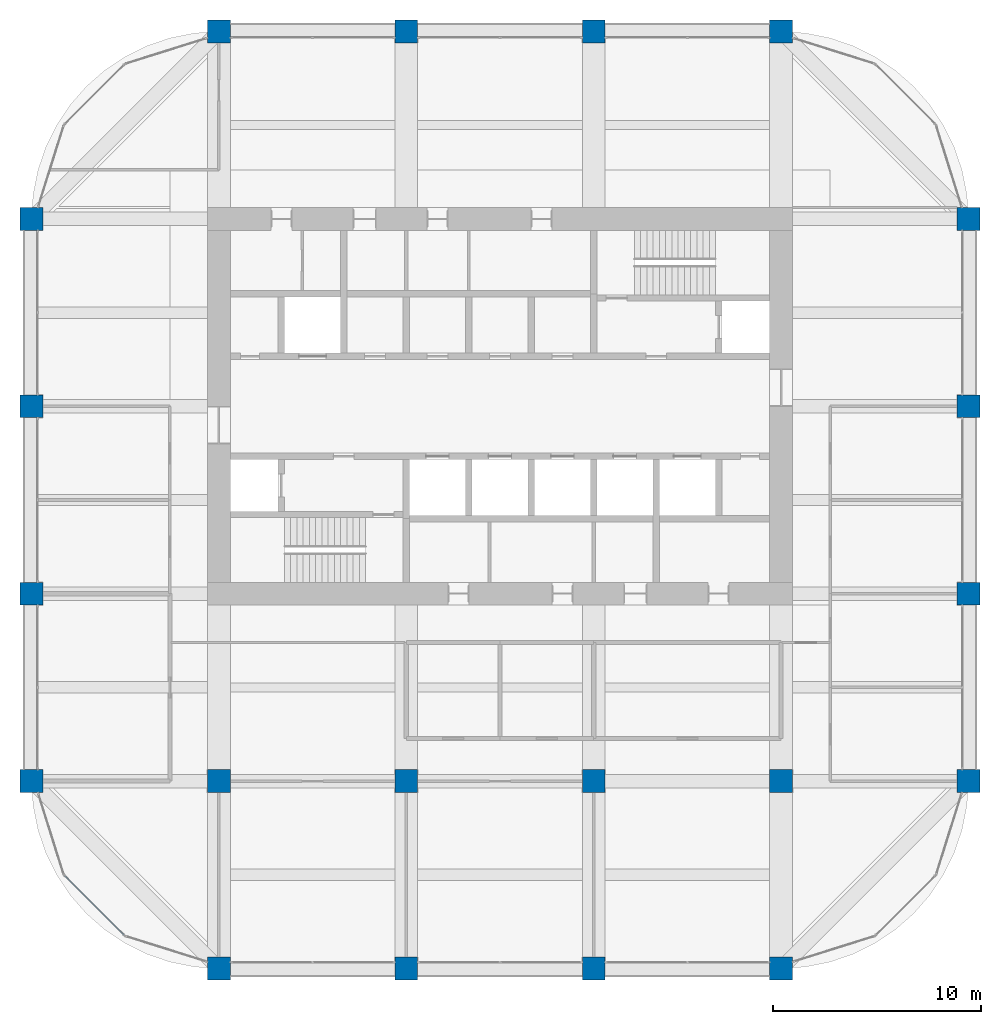
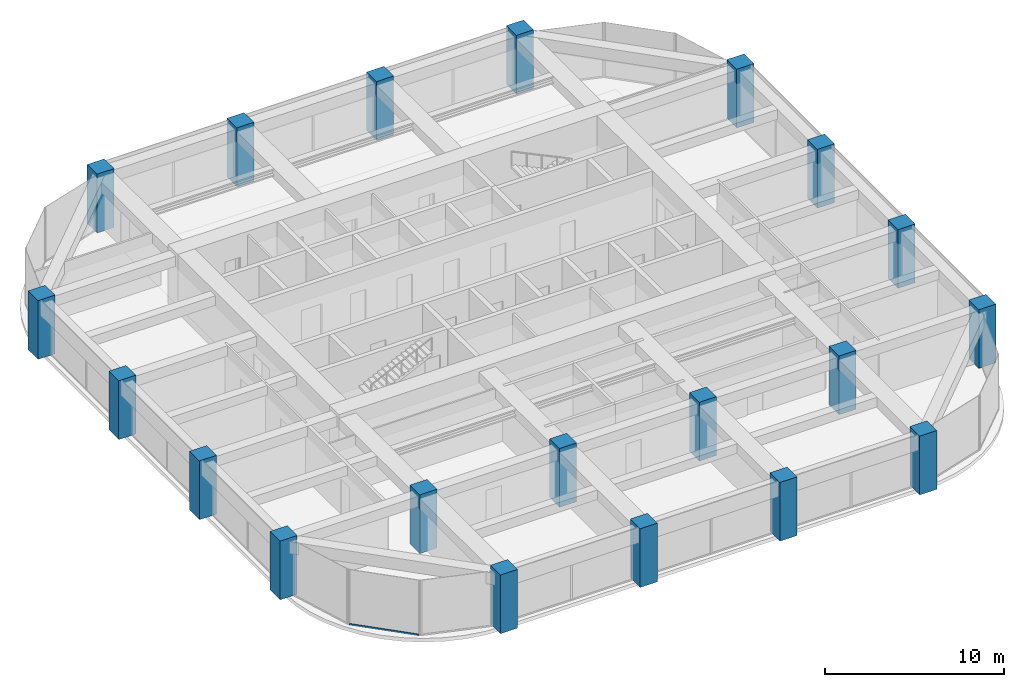
# One storey, part 1 of 44: 20 columns, 1 member, 1 element without a shape of its own.
"""IFC4 building model written with IfcOpenShell, lengths in metres."""

from ifc_helpers import new_model, si_unit, direction, frame, origin, origin_2d, place, context, subcontext, project, spatial, rectangle, hollow_rectangle, extrude, material, material_profile, profile_set, type_object, element, aggregate, save


model = new_model("IFC4")

# Units and contexts
model_context = context("Model", 3, precision=1e-05, world=origin(), true_north=direction((0.0, 1.0)))
body_context = subcontext(model_context, "Body", "Model", "MODEL_VIEW")
ifc_project = project(units=[si_unit("LENGTHUNIT", "METRE"), si_unit("AREAUNIT", "SQUARE_METRE"), si_unit("VOLUMEUNIT", "CUBIC_METRE"), si_unit("PLANEANGLEUNIT", "RADIAN"), si_unit("MASSUNIT", "GRAM", prefix="KILO")], contexts=[model_context])

# Site, building, storey
site_placement = place(None, origin())
site = spatial("IfcSite", under=ifc_project, at=site_placement, CompositionType="ELEMENT")
building_placement = place(site_placement, origin())
building = spatial("IfcBuilding", under=site, at=building_placement, Name="Zorevar Civic Tower", CompositionType="ELEMENT")
storey_placement = place(building_placement, frame((0.0, 0.0, 263.39990234375)))
storey = spatial("IfcBuildingStorey", under=building, at=storey_placement, Name="L64", CompositionType="ELEMENT", Elevation=263.39990234375)

# Columns
ifc_material_1 = material(Name="Concrete C50/60", Category="concrete")
ifc_material_profile_1 = material_profile(ifc_material_1, rectangle(XDim=1.10009765625, YDim=1.10009765625, at=origin_2d()), Name="RC 1100x1100")
ifc_profile_set_1 = profile_set([ifc_material_profile_1], Name="Concrete C50/60")
column_type = type_object("IfcColumnType", Name="Column RC 1100x1100", PredefinedType="COLUMN", material=ifc_profile_set_1)
for number, where, z_axis, x_axis, name in (
    (1, (9.0, 9.0, 0.0), (0.0, 0.0, 1.0), (1.0, 0.0, 0.0), "Column 3B L64"),
    (2, (9.0, 18.0, 0.0), (0.0, 0.0, 1.0), (1.0, 0.0, 0.0), "Column 3C L64"),
    (3, (9.0, 27.0, 0.0), (0.0, 0.0, 1.0), (1.0, 0.0, 0.0), "Column 3D L64"),
    (4, (9.0, 36.0, 0.0), (0.0, 0.0, 1.0), (1.0, 0.0, 0.0), "Column 3E L64"),
    (5, (18.0, 0.0, 0.0), (0.0, 0.0, 1.0), (1.0, 0.0, 0.0), "Column 4A L64"),
    (6, (18.0, 9.0, 0.0), (0.0, 0.0, 1.0), (1.0, 0.0, 0.0), "Column 4B L64"),
    (7, (18.0, 45.0, 0.0), (0.0, 0.0, 1.0), (1.0, 0.0, 0.0), "Column 4F L64"),
    (8, (27.0, 0.0, 0.0), (0.0, 0.0, 1.0), (1.0, 0.0, 0.0), "Column 5A L64"),
    (9, (27.0, 9.0, 0.0), (0.0, 0.0, 1.0), (1.0, 0.0, 0.0), "Column 5B L64"),
    (10, (27.0, 45.0, 0.0), (0.0, 0.0, 1.0), (1.0, 0.0, 0.0), "Column 5F L64"),
    (11, (36.0, 0.0, 0.0), (0.0, 0.0, 1.0), (1.0, 0.0, 0.0), "Column 6A L64"),
    (12, (36.0, 9.0, 0.0), (0.0, 0.0, 1.0), (1.0, 0.0, 0.0), "Column 6B L64"),
    (13, (36.0, 45.0, 0.0), (0.0, 0.0, 1.0), (1.0, 0.0, 0.0), "Column 6F L64"),
    (14, (45.0, 0.0, 0.0), (0.0, 0.0, 1.0), (1.0, 0.0, 0.0), "Column 7A L64"),
    (15, (45.0, 9.0, 0.0), (0.0, 0.0, 1.0), (1.0, 0.0, 0.0), "Column 7B L64"),
    (16, (45.0, 45.0, 0.0), (0.0, 0.0, 1.0), (1.0, 0.0, 0.0), "Column 7F L64"),
    (17, (54.0, 9.0, 0.0), (0.0, 0.0, 1.0), (1.0, 0.0, 0.0), "Column 8B L64"),
    (18, (54.0, 18.0, 0.0), (0.0, 0.0, 1.0), (1.0, 0.0, 0.0), "Column 8C L64"),
    (19, (54.0, 27.0, 0.0), (0.0, 0.0, 1.0), (1.0, 0.0, 0.0), "Column 8D L64"),
    (20, (54.0, 36.0, 0.0), (0.0, 0.0, 1.0), (1.0, 0.0, 0.0), "Column 8E L64"),
):
    element("IfcColumn", number, at=place(storey_placement, frame(where, z_axis=z_axis, x_axis=x_axis)), inside=storey, type_object=column_type, Name=name, PredefinedType="COLUMN", context=body_context, shape_type="SweptSolid", body=[
        extrude(rectangle(XDim=1.10009765625, YDim=1.10009765625, at=origin_2d()), origin(), (0.0, 0.0, 1.0), 4.0),
    ])

# Curtain wall, member
ifc_material_2 = material(Name="Dark grey solar-control glass in black aluminium frame", Category="aluminium")
curtain_wall_type = type_object("IfcCurtainWallType", Name="Curtain wall CW5 top zone", PredefinedType="NOTDEFINED", material=ifc_material_2)
curtain_wall_placement = place(storey_placement, origin())
curtain_wall = element("IfcCurtainWall", 21, at=curtain_wall_placement, inside=storey, type_object=curtain_wall_type, Name="CW5 L64", PredefinedType="NOTDEFINED")
ifc_material_3 = material(Name="Aluminium, black anodised", Category="aluminium")
ifc_material_profile_2 = material_profile(ifc_material_3, hollow_rectangle(XDim=0.06005859375, YDim=0.1201171875, WallThickness=0.0029296875, at=origin_2d()), Name="AL 120x60x3")
ifc_profile_set_2 = profile_set([ifc_material_profile_2], Name="Aluminium, black anodised")
member_type = type_object("IfcMemberType", Name="CW5 transom AL 120x60x3", PredefinedType="USERDEFINED", material=ifc_profile_set_2)
member_placement = place(storey_placement, frame((10.6015625, 4.44970703125, 0.030029296875), z_axis=(0.707106781187, -0.707106781187, 0.0), x_axis=(0.707106781187, 0.707106781187, 0.0)))
member = element("IfcMember", 22, at=member_placement, type_object=member_type, Name="CW5 sill transom", ObjectType="TRANSOM", PredefinedType="USERDEFINED", context=body_context, shape_type="SweptSolid", body=[
    extrude(hollow_rectangle(XDim=0.06005859375, YDim=0.1201171875, WallThickness=0.0029296875, at=origin_2d()), origin(), (0.0, 0.0, 1.0), 4.02783203125),
])
aggregate(curtain_wall, [member])

save(model, "model.ifc")
